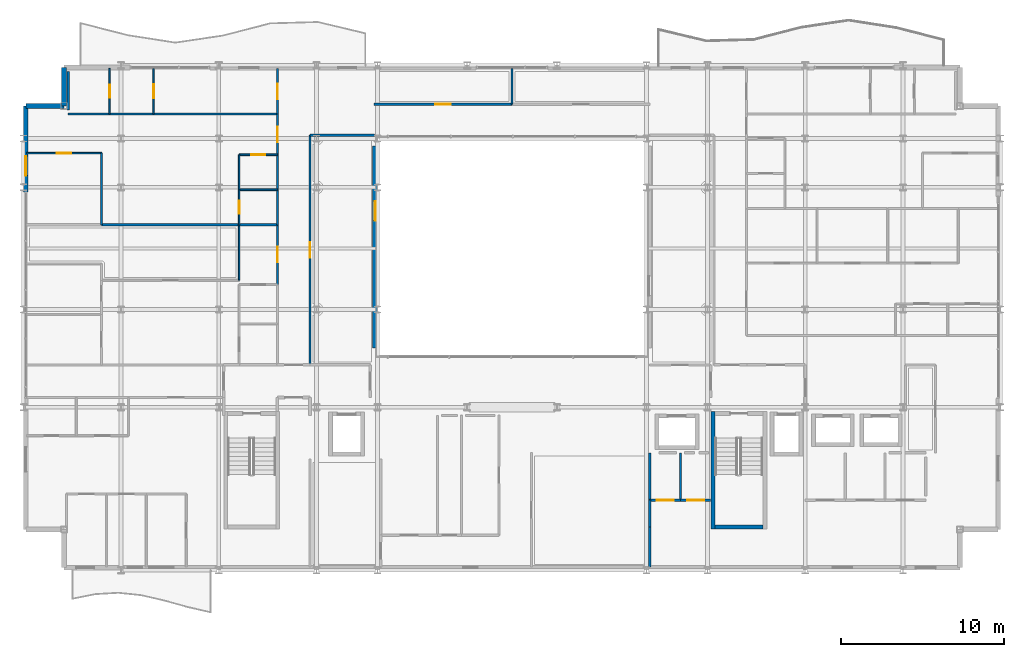
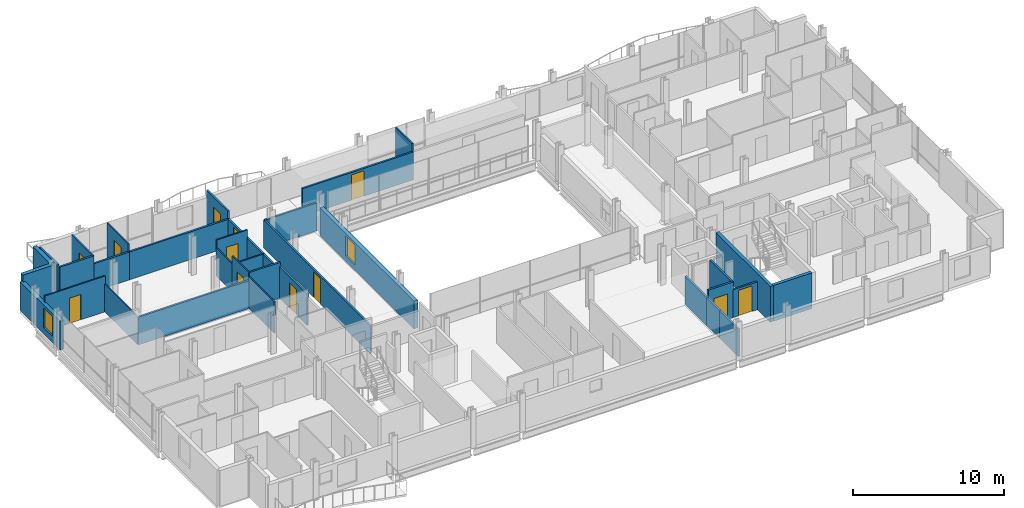
# One storey, part 35 of 41: 36 walls, 12 doors, 2 windows, 14 openings.
"""IFC4 building model written with IfcOpenShell, lengths in metres."""

from ifc_helpers import new_model, si_unit, direction, frame, frame_2d, origin, place, context, subcontext, project, spatial, rectangle, extrude, material, layer, layer_set, type_object, element, fill, save


model = new_model("IFC4")

# Units and contexts
model_context = context("Model", 3, precision=1e-05, world=origin(), true_north=direction((0.0, 1.0)))
body_context = subcontext(model_context, "Body", "Model", "MODEL_VIEW")
ifc_project = project(units=[si_unit("LENGTHUNIT", "METRE"), si_unit("AREAUNIT", "SQUARE_METRE"), si_unit("VOLUMEUNIT", "CUBIC_METRE"), si_unit("PLANEANGLEUNIT", "RADIAN"), si_unit("MASSUNIT", "GRAM", prefix="KILO")], contexts=[model_context])

# Site, building, storey
site_placement = place(None, origin())
site = spatial("IfcSite", under=ifc_project, at=site_placement, CompositionType="ELEMENT")
building_placement = place(site_placement, origin())
building = spatial("IfcBuilding", under=site, at=building_placement, Name="Brevholm Reach", CompositionType="ELEMENT")
storey_placement = place(building_placement, frame((0.0, 0.0, 157.300048828125)))
storey = spatial("IfcBuildingStorey", under=building, at=storey_placement, Name="L47", CompositionType="ELEMENT", Elevation=157.300048828125)

# Walls
ifc_material_1 = material(Name="Concrete C45/55", Category="concrete")
ifc_layer_1 = layer(ifc_material_1, 0.239990234375)
ifc_layer_set_1 = layer_set([ifc_layer_1], Name="Concrete C45/55")
wall_type_1 = type_object("IfcWallType", Name="WAL-COR-240", PredefinedType="SHEAR", material=ifc_layer_set_1)
wall_1_placement = place(storey_placement, frame((42.330078125, 2.5400390625, 0.0), z_axis=(0.0, 0.0, 1.0), x_axis=(0.0, 1.0, 0.0)))
element("IfcWall", 1, at=wall_1_placement, inside=storey, type_object=wall_type_1, Name="L47 Escape Stair ST-2 Core Wall W", PredefinedType="SHEAR", context=body_context, shape_type="SweptSolid", body=[
    extrude(rectangle(XDim=7.199951171875, YDim=0.239990234375, at=frame_2d((3.60009765625, 0.0))), origin(), (0.0, 0.0, 1.0), 2.8798828125),
])
wall_2_placement = place(storey_placement, frame((42.449951171875, 2.659912109375, 0.0), z_axis=(0.0, 0.0, 1.0), x_axis=(1.0, 0.0, 0.0)))
element("IfcWall", 2, at=wall_2_placement, inside=storey, type_object=wall_type_1, Name="L47 Escape Stair ST-2 Core Wall S", PredefinedType="SHEAR", context=body_context, shape_type="SweptSolid", body=[
    extrude(rectangle(XDim=2.949951171875, YDim=0.239990234375, at=frame_2d((1.47509765625, 0.0))), origin(), (0.0, 0.0, 1.0), 2.8798828125),
])
ifc_material_2 = material(Name="Concrete C40/50", Category="concrete")
ifc_layer_2 = layer(ifc_material_2, 0.300048828125)
ifc_layer_set_2 = layer_set([ifc_layer_2], Name="Concrete C40/50")
wall_type_2 = type_object("IfcWallType", Name="WAL-EXT-300", PredefinedType="STANDARD", material=ifc_layer_set_2)
for number, where, z_axis, x_axis, name in (
    (3, (2.5, 30.85009765625, 0.0), (0.0, 0.0, 1.0), (0.0, -1.0, 0.0), "L47 Facade Wall WAL-L47-CNW1"),
    (4, (2.5, 28.5, 0.0), (0.0, 0.0, 1.0), (-1.0, 0.0, 0.0), "L47 Facade Wall WAL-L47-CNW2"),
):
    element("IfcWall", number, at=place(storey_placement, frame(where, z_axis=z_axis, x_axis=x_axis)), inside=storey, type_object=wall_type_2, Name=name, PredefinedType="STANDARD", context=body_context, shape_type="SweptSolid", body=[
        extrude(rectangle(XDim=2.35009765625, YDim=0.300048828125, at=frame_2d((1.175048828125, 0.0))), origin(), (0.0, 0.0, 1.0), 2.8798828125),
    ])

# Wall, opening, window
wall_3_placement = place(storey_placement, frame((0.14990234375, 28.5, 0.0), z_axis=(0.0, 0.0, 1.0), x_axis=(0.0, -1.0, 0.0)))
wall_3 = element("IfcWall", 5, at=wall_3_placement, inside=storey, type_object=wall_type_2, Name="L47 Facade Wall WAL-L47-W-N", PredefinedType="STANDARD", context=body_context, shape_type="SweptSolid", body=[
    extrude(rectangle(XDim=5.280029296875, YDim=0.300048828125, at=frame_2d((2.64013671875, 0.0))), origin(), (0.0, 0.0, 1.0), 2.32177734375),
])
opening_1_placement = place(wall_3_placement, frame((3.080078125, 0.0, 0.501953125)))
opening_1 = element("IfcOpeningElement", 6, at=opening_1_placement, cuts=wall_3, Name="Opening WN-08", PredefinedType="OPENING", context=body_context, shape_type="SweptSolid", body=[
    extrude(rectangle(XDim=1.199951171875, YDim=1.60009765625, at=frame_2d((0.60009765625, 0.800048828125))), frame((0.0, 0.159912109375, 0.0), z_axis=(0.0, -1.0, 0.0), x_axis=(1.0, 0.0, 0.0)), (0.0, 0.0, 1.0), 0.320068359375),
])
ifc_material_3 = material(Name="Dark Anodised Aluminium and Solar-Control IGU Glass", Category="aluminium")
window_type = type_object("IfcWindowType", Name="WIN-RES-1200", PartitioningType="SINGLE_PANEL", PredefinedType="WINDOW", material=ifc_material_3)
window_1_placement = place(opening_1_placement, origin())
window_1 = element("IfcWindow", 7, at=window_1_placement, inside=storey, type_object=window_type, Name="L47 Window WIN-L47-WN-1", OverallHeight=1.60009765625, OverallWidth=1.199951171875, PartitioningType="SINGLE_PANEL", PredefinedType="WINDOW", context=body_context, shape_type="SweptSolid", body=[
    extrude(rectangle(XDim=1.199951171875, YDim=1.60009765625, at=frame_2d((0.60009765625, 0.800048828125))), frame((0.0, 0.030029296875, 0.0), z_axis=(0.0, -1.0, 0.0), x_axis=(1.0, 0.0, 0.0)), (0.0, 0.0, 1.0), 0.06005859375),
])
fill(opening_1, window_1)

wall_4_placement = place(storey_placement, frame((21.60009765625, 26.050048828125, 0.0), z_axis=(0.0, 0.0, 1.0), x_axis=(0.0, -1.0, 0.0)))
wall_4 = element("IfcWall", 8, at=wall_4_placement, inside=storey, type_object=wall_type_2, Name="L47 Facade Wall WAL-L47-AT-W", PredefinedType="STANDARD", context=body_context, shape_type="SweptSolid", body=[
    extrude(rectangle(XDim=12.400146484375, YDim=0.300048828125, at=frame_2d((6.2001953125, 0.0))), origin(), (0.0, 0.0, 1.0), 2.24267578125),
])
opening_2_placement = place(wall_4_placement, frame((3.39990234375, 0.0, 0.423095703125)))
opening_2 = element("IfcOpeningElement", 9, at=opening_2_placement, cuts=wall_4, Name="Opening WN-08", PredefinedType="OPENING", context=body_context, shape_type="SweptSolid", body=[
    extrude(rectangle(XDim=1.199951171875, YDim=1.60009765625, at=frame_2d((0.60009765625, 0.800048828125))), frame((0.0, 0.159912109375, 0.0), z_axis=(0.0, -1.0, 0.0), x_axis=(1.0, 0.0, 0.0)), (0.0, 0.0, 1.0), 0.320068359375),
])
window_2_placement = place(opening_2_placement, origin())
window_2 = element("IfcWindow", 10, at=window_2_placement, inside=storey, type_object=window_type, Name="L47 Window WIN-L47-AT-W1", OverallHeight=1.60009765625, OverallWidth=1.199951171875, PartitioningType="SINGLE_PANEL", PredefinedType="WINDOW", context=body_context, shape_type="SweptSolid", body=[
    extrude(rectangle(XDim=1.199951171875, YDim=1.60009765625, at=frame_2d((0.60009765625, 0.800048828125))), frame((0.0, 0.030029296875, 0.0), z_axis=(0.0, -1.0, 0.0), x_axis=(1.0, 0.0, 0.0)), (0.0, 0.0, 1.0), 0.06005859375),
])
fill(opening_2, window_2)

# Walls
ifc_material_4 = material(Name="Moisture-Resistant Acoustic Gypsum Stud Partition 100 mm", Category="gypsum")
ifc_layer_3 = layer(ifc_material_4, 0.10009765625)
ifc_layer_set_3 = layer_set([ifc_layer_3], Name="Moisture-Resistant Acoustic Gypsum Stud Partition 100 mm")
wall_type_3 = type_object("IfcWallType", Name="WAL-PRT-100", PredefinedType="PARTITIONING", material=ifc_layer_set_3)
wall_5_placement = place(storey_placement, frame((13.25, 17.800048828125, 0.0), z_axis=(0.0, 0.0, 1.0), x_axis=(0.0, 1.0, 0.0)))
element("IfcWall", 11, at=wall_5_placement, inside=storey, type_object=wall_type_3, Name="L47 Internal Partition 089", PredefinedType="PARTITIONING", context=body_context, shape_type="SweptSolid", body=[
    extrude(rectangle(XDim=3.39990234375, YDim=0.10009765625, at=frame_2d((1.699951171875, 0.0))), origin(), (0.0, 0.0, 1.0), 2.551513671875),
])
wall_6_placement = place(storey_placement, frame((13.25, 23.35009765625, 0.0), z_axis=(0.0, 0.0, 1.0), x_axis=(1.0, 0.0, 0.0)))
element("IfcWall", 12, at=wall_6_placement, inside=storey, type_object=wall_type_3, Name="L47 Internal Partition 093", PredefinedType="PARTITIONING", context=body_context, shape_type="SweptSolid", body=[
    extrude(rectangle(XDim=2.345947265625, YDim=0.10009765625, at=frame_2d((1.1728515625, 0.0))), origin(), (0.0, 0.0, 1.0), 2.24267578125),
])

# Wall, opening, door
wall_7_placement = place(storey_placement, frame((13.25, 21.2041015625, 0.0), z_axis=(0.0, 0.0, 1.0), x_axis=(0.0, 1.0, 0.0)))
wall_7 = element("IfcWall", 13, at=wall_7_placement, inside=storey, type_object=wall_type_3, Name="L47 Internal Partition 094", PredefinedType="PARTITIONING", context=body_context, shape_type="SweptSolid", body=[
    extrude(rectangle(XDim=2.14599609375, YDim=0.10009765625, at=frame_2d((1.072998046875, 0.0))), origin(), (0.0, 0.0, 1.0), 2.8798828125),
])
opening_3_placement = place(wall_7_placement, frame((0.6630859375, 0.0, 0.0)))
opening_3 = element("IfcOpeningElement", 14, at=opening_3_placement, cuts=wall_7, Name="Opening ID-03", PredefinedType="OPENING", context=body_context, shape_type="SweptSolid", body=[
    extrude(rectangle(XDim=0.820068359375, YDim=2.02001953125, at=frame_2d((0.41015625, 1.010009765625))), frame((0.0, 0.06005859375, 0.0), z_axis=(0.0, -1.0, 0.0), x_axis=(1.0, 0.0, 0.0)), (0.0, 0.0, 1.0), 0.1201171875),
])
ifc_material_5 = material(Name="Moisture-Resistant Painted Timber Internal Bathroom Door", Category="wood")
door_type_1 = type_object("IfcDoorType", Name="DOR-BATH-820", OperationType="NOTDEFINED", PredefinedType="DOOR", material=ifc_material_5)
door_1_placement = place(opening_3_placement, origin())
door_1 = element("IfcDoor", 15, at=door_1_placement, inside=storey, type_object=door_type_1, Name="L47 Internal Door 041", OperationType="SINGLE_SWING_LEFT", OverallHeight=2.02001953125, OverallWidth=0.820068359375, PredefinedType="DOOR", context=body_context, shape_type="SweptSolid", body=[
    extrude(rectangle(XDim=0.820068359375, YDim=2.02001953125, at=frame_2d((0.41015625, 1.010009765625))), frame((0.0, 0.02490234375, 0.0), z_axis=(0.0, -1.0, 0.0), x_axis=(1.0, 0.0, 0.0)), (0.0, 0.0, 1.0), 0.050048828125),
])
fill(opening_3, door_1)

wall_8_placement = place(storey_placement, frame((13.25, 25.5, 0.0), z_axis=(0.0, 0.0, 1.0), x_axis=(1.0, 0.0, 0.0)))
wall_8 = element("IfcWall", 16, at=wall_8_placement, inside=storey, type_object=wall_type_3, Name="L47 Internal Partition 095", PredefinedType="PARTITIONING", context=body_context, shape_type="SweptSolid", body=[
    extrude(rectangle(XDim=2.345947265625, YDim=0.10009765625, at=frame_2d((1.1728515625, 0.0))), origin(), (0.0, 0.0, 1.0), 2.8798828125),
])
opening_4_placement = place(wall_8_placement, frame((0.73291015625, 0.0, 0.0)))
opening_4 = element("IfcOpeningElement", 17, at=opening_4_placement, cuts=wall_8, Name="Opening ID-01", PredefinedType="OPENING", context=body_context, shape_type="SweptSolid", body=[
    extrude(rectangle(XDim=0.8798828125, YDim=2.0400390625, at=frame_2d((0.43994140625, 1.02001953125))), frame((0.0, 0.06005859375, 0.0), z_axis=(0.0, -1.0, 0.0), x_axis=(1.0, 0.0, 0.0)), (0.0, 0.0, 1.0), 0.1201171875),
])
ifc_material_6 = material(Name="Lacquered Ash Solid-Core Acoustic Internal Door", Category="timber")
door_type_2 = type_object("IfcDoorType", Name="DOR-INT-880", OperationType="NOTDEFINED", PredefinedType="DOOR", material=ifc_material_6)
door_2_placement = place(opening_4_placement, origin())
door_2 = element("IfcDoor", 18, at=door_2_placement, inside=storey, type_object=door_type_2, Name="L47 Internal Door 042", OperationType="SINGLE_SWING_RIGHT", OverallHeight=2.0400390625, OverallWidth=0.8798828125, PredefinedType="DOOR", context=body_context, shape_type="SweptSolid", body=[
    extrude(rectangle(XDim=0.8798828125, YDim=2.0400390625, at=frame_2d((0.43994140625, 1.02001953125))), frame((0.0, 0.02490234375, 0.0), z_axis=(0.0, -1.0, 0.0), x_axis=(1.0, 0.0, 0.0)), (0.0, 0.0, 1.0), 0.050048828125),
])
fill(opening_4, door_2)

# Walls
wall_9_placement = place(storey_placement, frame((13.25, 23.35400390625, 0.0), z_axis=(0.0, 0.0, 1.0), x_axis=(0.0, 1.0, 0.0)))
element("IfcWall", 19, at=wall_9_placement, inside=storey, type_object=wall_type_3, Name="L47 Internal Partition 096", PredefinedType="PARTITIONING", context=body_context, shape_type="SweptSolid", body=[
    extrude(rectangle(XDim=2.14599609375, YDim=0.10009765625, at=frame_2d((1.072998046875, 0.0))), origin(), (0.0, 0.0, 1.0), 2.24267578125),
])
wall_10_placement = place(storey_placement, frame((4.800048828125, 21.2041015625, 0.0), z_axis=(0.0, 0.0, 1.0), x_axis=(0.0, 1.0, 0.0)))
element("IfcWall", 20, at=wall_10_placement, inside=storey, type_object=wall_type_3, Name="L47 Internal Partition 097", PredefinedType="PARTITIONING", context=body_context, shape_type="SweptSolid", body=[
    extrude(rectangle(XDim=4.39599609375, YDim=0.10009765625, at=frame_2d((2.197998046875, 0.0))), origin(), (0.0, 0.0, 1.0), 2.24267578125),
])

# Wall, opening, door
wall_11_placement = place(storey_placement, frame((0.199951171875, 25.60009765625, 0.0), z_axis=(0.0, 0.0, 1.0), x_axis=(1.0, 0.0, 0.0)))
wall_11 = element("IfcWall", 21, at=wall_11_placement, inside=storey, type_object=wall_type_3, Name="L47 Internal Partition 098", PredefinedType="PARTITIONING", context=body_context, shape_type="SweptSolid", body=[
    extrude(rectangle(XDim=4.60009765625, YDim=0.10009765625, at=frame_2d((2.300048828125, 0.0))), origin(), (0.0, 0.0, 1.0), 2.8798828125),
])
opening_5_placement = place(wall_11_placement, frame((1.860107421875, 0.0, 0.0)))
opening_5 = element("IfcOpeningElement", 22, at=opening_5_placement, cuts=wall_11, Name="Opening ID-01", PredefinedType="OPENING", context=body_context, shape_type="SweptSolid", body=[
    extrude(rectangle(XDim=0.8798828125, YDim=2.0400390625, at=frame_2d((0.43994140625, 1.02001953125))), frame((0.0, 0.06005859375, 0.0), z_axis=(0.0, -1.0, 0.0), x_axis=(1.0, 0.0, 0.0)), (0.0, 0.0, 1.0), 0.1201171875),
])
door_3_placement = place(opening_5_placement, origin())
door_3 = element("IfcDoor", 23, at=door_3_placement, inside=storey, type_object=door_type_2, Name="L47 Internal Door 043", OperationType="SINGLE_SWING_LEFT", OverallHeight=2.0400390625, OverallWidth=0.8798828125, PredefinedType="DOOR", context=body_context, shape_type="SweptSolid", body=[
    extrude(rectangle(XDim=0.8798828125, YDim=2.0400390625, at=frame_2d((0.43994140625, 1.02001953125))), frame((0.0, 0.02490234375, 0.0), z_axis=(0.0, -1.0, 0.0), x_axis=(1.0, 0.0, 0.0)), (0.0, 0.0, 1.0), 0.050048828125),
])
fill(opening_5, door_3)

wall_12_placement = place(storey_placement, frame((5.300048828125, 28.00390625, 0.0), z_axis=(0.0, 0.0, 1.0), x_axis=(0.0, 1.0, 0.0)))
wall_12 = element("IfcWall", 24, at=wall_12_placement, inside=storey, type_object=wall_type_3, Name="L47 Internal Partition 127", PredefinedType="PARTITIONING", context=body_context, shape_type="SweptSolid", body=[
    extrude(rectangle(XDim=2.796142578125, YDim=0.10009765625, at=frame_2d((1.39794921875, 0.0))), origin(), (0.0, 0.0, 1.0), 2.8798828125),
])
opening_6_placement = place(wall_12_placement, frame((0.988037109375, 0.0, 0.0)))
opening_6 = element("IfcOpeningElement", 25, at=opening_6_placement, cuts=wall_12, Name="Opening ID-03", PredefinedType="OPENING", context=body_context, shape_type="SweptSolid", body=[
    extrude(rectangle(XDim=0.820068359375, YDim=2.02001953125, at=frame_2d((0.41015625, 1.010009765625))), frame((0.0, 0.06005859375, 0.0), z_axis=(0.0, -1.0, 0.0), x_axis=(1.0, 0.0, 0.0)), (0.0, 0.0, 1.0), 0.1201171875),
])
door_4_placement = place(opening_6_placement, origin())
door_4 = element("IfcDoor", 26, at=door_4_placement, inside=storey, type_object=door_type_1, Name="L47 Access Door 054", OperationType="SINGLE_SWING_RIGHT", OverallHeight=2.02001953125, OverallWidth=0.820068359375, PredefinedType="DOOR", context=body_context, shape_type="SweptSolid", body=[
    extrude(rectangle(XDim=0.820068359375, YDim=2.02001953125, at=frame_2d((0.41015625, 1.010009765625))), frame((0.0, 0.02490234375, 0.0), z_axis=(0.0, -1.0, 0.0), x_axis=(1.0, 0.0, 0.0)), (0.0, 0.0, 1.0), 0.050048828125),
])
fill(opening_6, door_4)

wall_13_placement = place(storey_placement, frame((8.0, 28.00390625, 0.0), z_axis=(0.0, 0.0, 1.0), x_axis=(0.0, 1.0, 0.0)))
wall_13 = element("IfcWall", 27, at=wall_13_placement, inside=storey, type_object=wall_type_3, Name="L47 Internal Partition 128", PredefinedType="PARTITIONING", context=body_context, shape_type="SweptSolid", body=[
    extrude(rectangle(XDim=2.796142578125, YDim=0.10009765625, at=frame_2d((1.39794921875, 0.0))), origin(), (0.0, 0.0, 1.0), 2.8798828125),
])
opening_7_placement = place(wall_13_placement, frame((0.9580078125, 0.0, 0.0)))
opening_7 = element("IfcOpeningElement", 28, at=opening_7_placement, cuts=wall_13, Name="Opening ID-01", PredefinedType="OPENING", context=body_context, shape_type="SweptSolid", body=[
    extrude(rectangle(XDim=0.8798828125, YDim=2.0400390625, at=frame_2d((0.43994140625, 1.02001953125))), frame((0.0, 0.06005859375, 0.0), z_axis=(0.0, -1.0, 0.0), x_axis=(1.0, 0.0, 0.0)), (0.0, 0.0, 1.0), 0.1201171875),
])
door_5_placement = place(opening_7_placement, origin())
door_5 = element("IfcDoor", 29, at=door_5_placement, inside=storey, type_object=door_type_2, Name="L47 Internal Door 051", OperationType="SINGLE_SWING_LEFT", OverallHeight=2.0400390625, OverallWidth=0.8798828125, PredefinedType="DOOR", context=body_context, shape_type="SweptSolid", body=[
    extrude(rectangle(XDim=0.8798828125, YDim=2.0400390625, at=frame_2d((0.43994140625, 1.02001953125))), frame((0.0, 0.02490234375, 0.0), z_axis=(0.0, -1.0, 0.0), x_axis=(1.0, 0.0, 0.0)), (0.0, 0.0, 1.0), 0.050048828125),
])
fill(opening_7, door_5)

# Walls
wall_14_placement = place(storey_placement, frame((30.0, 28.60400390625, 0.0), z_axis=(0.0, 0.0, 1.0), x_axis=(0.0, 1.0, 0.0)))
element("IfcWall", 30, at=wall_14_placement, inside=storey, type_object=wall_type_3, Name="L47 Internal Partition 129", PredefinedType="PARTITIONING", context=body_context, shape_type="SweptSolid", body=[
    extrude(rectangle(XDim=2.196044921875, YDim=0.10009765625, at=frame_2d((1.09814453125, 0.0))), origin(), (0.0, 0.0, 1.0), 2.8798828125),
])
ifc_material_7 = material(Name="Twin-Stud Acoustic Fire-Rated Gypsum Partition 140 mm", Category="gypsum")
ifc_layer_4 = layer(ifc_material_7, 0.139892578125)
ifc_layer_set_4 = layer_set([ifc_layer_4], Name="Twin-Stud Acoustic Fire-Rated Gypsum Partition 140 mm")
wall_type_4 = type_object("IfcWallType", Name="WAL-PRT-140", PredefinedType="PARTITIONING", material=ifc_layer_set_4)
wall_15_placement = place(storey_placement, frame((38.449951171875, 0.179931640625, 0.0), z_axis=(0.0, 0.0, 1.0), x_axis=(0.0, 1.0, 0.0)))
element("IfcWall", 31, at=wall_15_placement, inside=storey, type_object=wall_type_4, Name="L47 Internal Partition 010", PredefinedType="PARTITIONING", context=body_context, shape_type="SweptSolid", body=[
    extrude(rectangle(XDim=2.4814453125, YDim=0.139892578125, at=frame_2d((1.24072265625, 0.0))), origin(), (0.0, 0.0, 1.0), 2.24267578125),
])
wall_16_placement = place(storey_placement, frame((38.449951171875, 2.642578125, 0.0), z_axis=(0.0, 0.0, 1.0), x_axis=(0.0, 1.0, 0.0)))
element("IfcWall", 32, at=wall_16_placement, inside=storey, type_object=wall_type_4, Name="L47 Internal Partition 011", PredefinedType="PARTITIONING", context=body_context, shape_type="SweptSolid", body=[
    extrude(rectangle(XDim=1.668701171875, YDim=0.139892578125, at=frame_2d((0.83447265625, 0.0))), origin(), (0.0, 0.0, 1.0), 2.24267578125),
])
wall_17_placement = place(storey_placement, frame((38.449951171875, 4.292724609375, 0.0), z_axis=(0.0, 0.0, 1.0), x_axis=(0.0, 1.0, 0.0)))
element("IfcWall", 33, at=wall_17_placement, inside=storey, type_object=wall_type_4, Name="L47 Internal Partition 012", PredefinedType="PARTITIONING", context=body_context, shape_type="SweptSolid", body=[
    extrude(rectangle(XDim=2.9072265625, YDim=0.139892578125, at=frame_2d((1.45361328125, 0.0))), origin(), (0.0, 0.0, 1.0), 2.24267578125),
])

# Wall, opening, door
wall_18_placement = place(storey_placement, frame((38.4541015625, 4.300048828125, 0.0), z_axis=(0.0, 0.0, 1.0), x_axis=(1.0, 0.0, 0.0)))
wall_18 = element("IfcWall", 34, at=wall_18_placement, inside=storey, type_object=wall_type_4, Name="L47 Internal Partition 018", PredefinedType="PARTITIONING", context=body_context, shape_type="SweptSolid", body=[
    extrude(rectangle(XDim=1.9072265625, YDim=0.139892578125, at=frame_2d((0.95361328125, 0.0))), origin(), (0.0, 0.0, 1.0), 2.8798828125),
])
opening_8_placement = place(wall_18_placement, frame((0.4287109375, 0.0, 0.0)))
opening_8 = element("IfcOpeningElement", 35, at=opening_8_placement, cuts=wall_18, Name="Opening FD-01", PredefinedType="OPENING", context=body_context, shape_type="SweptSolid", body=[
    extrude(rectangle(XDim=1.050048828125, YDim=2.06005859375, at=frame_2d((0.52490234375, 1.030029296875))), frame((0.0, 0.079833984375, 0.0), z_axis=(0.0, -1.0, 0.0), x_axis=(1.0, 0.0, 0.0)), (0.0, 0.0, 1.0), 0.159912109375),
])
ifc_material_8 = material(Name="Hardwood-Lipped Steel-Core Fire and Smoke Door", Category="steel")
door_type_3 = type_object("IfcDoorType", Name="DOR-INT-FD60S", OperationType="NOTDEFINED", PredefinedType="DOOR", material=ifc_material_8)
door_6_placement = place(opening_8_placement, origin())
door_6 = element("IfcDoor", 36, at=door_6_placement, inside=storey, type_object=door_type_3, Name="L47 Internal Door 008", OperationType="SINGLE_SWING_RIGHT", OverallHeight=2.06005859375, OverallWidth=1.050048828125, PredefinedType="DOOR", context=body_context, shape_type="SweptSolid", body=[
    extrude(rectangle(XDim=1.050048828125, YDim=2.06005859375, at=frame_2d((0.52490234375, 1.030029296875))), frame((0.0, 0.02490234375, 0.0), z_axis=(0.0, -1.0, 0.0), x_axis=(1.0, 0.0, 0.0)), (0.0, 0.0, 1.0), 0.050048828125),
])
fill(opening_8, door_6)

wall_19_placement = place(storey_placement, frame((40.3427734375, 4.300048828125, 0.0), z_axis=(0.0, 0.0, 1.0), x_axis=(1.0, 0.0, 0.0)))
wall_19 = element("IfcWall", 37, at=wall_19_placement, inside=storey, type_object=wall_type_4, Name="L47 Internal Partition 019", PredefinedType="PARTITIONING", context=body_context, shape_type="SweptSolid", body=[
    extrude(rectangle(XDim=1.857177734375, YDim=0.139892578125, at=frame_2d((0.9287109375, 0.0))), origin(), (0.0, 0.0, 1.0), 2.24267578125),
])
opening_9_placement = place(wall_19_placement, frame((0.40380859375, 0.0, 0.0)))
opening_9 = element("IfcOpeningElement", 38, at=opening_9_placement, cuts=wall_19, Name="Opening FD-01", PredefinedType="OPENING", context=body_context, shape_type="SweptSolid", body=[
    extrude(rectangle(XDim=1.050048828125, YDim=2.06005859375, at=frame_2d((0.52490234375, 1.030029296875))), frame((0.0, 0.079833984375, 0.0), z_axis=(0.0, -1.0, 0.0), x_axis=(1.0, 0.0, 0.0)), (0.0, 0.0, 1.0), 0.159912109375),
])
door_7_placement = place(opening_9_placement, origin())
door_7 = element("IfcDoor", 39, at=door_7_placement, inside=storey, type_object=door_type_3, Name="L47 Internal Door 009", OperationType="SINGLE_SWING_LEFT", OverallHeight=2.06005859375, OverallWidth=1.050048828125, PredefinedType="DOOR", context=body_context, shape_type="SweptSolid", body=[
    extrude(rectangle(XDim=1.050048828125, YDim=2.06005859375, at=frame_2d((0.52490234375, 1.030029296875))), frame((0.0, 0.02490234375, 0.0), z_axis=(0.0, -1.0, 0.0), x_axis=(1.0, 0.0, 0.0)), (0.0, 0.0, 1.0), 0.050048828125),
])
fill(opening_9, door_7)

# Wall
wall_20_placement = place(storey_placement, frame((40.35009765625, 4.303955078125, 0.0), z_axis=(0.0, 0.0, 1.0), x_axis=(0.0, 1.0, 0.0)))
element("IfcWall", 40, at=wall_20_placement, inside=storey, type_object=wall_type_4, Name="L47 Internal Partition 020", PredefinedType="PARTITIONING", context=body_context, shape_type="SweptSolid", body=[
    extrude(rectangle(XDim=2.89599609375, YDim=0.139892578125, at=frame_2d((1.447998046875, 0.0))), origin(), (0.0, 0.0, 1.0), 2.8798828125),
])

# Wall, opening, door
wall_21_placement = place(storey_placement, frame((15.60009765625, 17.520751953125, 0.0), z_axis=(0.0, 0.0, 1.0), x_axis=(0.0, 1.0, 0.0)))
wall_21 = element("IfcWall", 41, at=wall_21_placement, inside=storey, type_object=wall_type_4, Name="L47 Internal Partition 043", PredefinedType="PARTITIONING", context=body_context, shape_type="SweptSolid", body=[
    extrude(rectangle(XDim=3.6904296875, YDim=0.139892578125, at=frame_2d((1.84521484375, 0.0))), origin(), (0.0, 0.0, 1.0), 2.551513671875),
])
opening_10_placement = place(wall_21_placement, frame((1.370361328125, 0.0, 0.0)))
opening_10 = element("IfcOpeningElement", 42, at=opening_10_placement, cuts=wall_21, Name="Opening ID-30", PredefinedType="OPENING", context=body_context, shape_type="SweptSolid", body=[
    extrude(rectangle(XDim=0.949951171875, YDim=2.050048828125, at=frame_2d((0.47509765625, 1.02490234375))), frame((0.0, 0.079833984375, 0.0), z_axis=(0.0, -1.0, 0.0), x_axis=(1.0, 0.0, 0.0)), (0.0, 0.0, 1.0), 0.159912109375),
])
ifc_material_9 = material(Name="European Oak Veneered Solid-Core Fire Entrance Door", Category="timber")
door_type_4 = type_object("IfcDoorType", Name="DOR-FLT-FD30S", OperationType="NOTDEFINED", PredefinedType="DOOR", material=ifc_material_9)
door_8_placement = place(opening_10_placement, origin())
door_8 = element("IfcDoor", 43, at=door_8_placement, inside=storey, type_object=door_type_4, Name="L47 Internal Door 021", OperationType="SINGLE_SWING_LEFT", OverallHeight=2.050048828125, OverallWidth=0.949951171875, PredefinedType="DOOR", context=body_context, shape_type="SweptSolid", body=[
    extrude(rectangle(XDim=0.949951171875, YDim=2.050048828125, at=frame_2d((0.47509765625, 1.02490234375))), frame((0.0, 0.02490234375, 0.0), z_axis=(0.0, -1.0, 0.0), x_axis=(1.0, 0.0, 0.0)), (0.0, 0.0, 1.0), 0.050048828125),
])
fill(opening_10, door_8)

# Walls
wall_22_placement = place(storey_placement, frame((15.60009765625, 21.192626953125, 0.0), z_axis=(0.0, 0.0, 1.0), x_axis=(0.0, 1.0, 0.0)))
element("IfcWall", 44, at=wall_22_placement, inside=storey, type_object=wall_type_4, Name="L47 Internal Partition 044", PredefinedType="PARTITIONING", context=body_context, shape_type="SweptSolid", body=[
    extrude(rectangle(XDim=2.168701171875, YDim=0.139892578125, at=frame_2d((1.08447265625, 0.0))), origin(), (0.0, 0.0, 1.0), 2.24267578125),
])
wall_23_placement = place(storey_placement, frame((15.60009765625, 23.3427734375, 0.0), z_axis=(0.0, 0.0, 1.0), x_axis=(0.0, 1.0, 0.0)))
element("IfcWall", 45, at=wall_23_placement, inside=storey, type_object=wall_type_4, Name="L47 Internal Partition 045", PredefinedType="PARTITIONING", context=body_context, shape_type="SweptSolid", body=[
    extrude(rectangle(XDim=2.16845703125, YDim=0.139892578125, at=frame_2d((1.084228515625, 0.0))), origin(), (0.0, 0.0, 1.0), 2.24267578125),
])

# Wall, opening, door
wall_24_placement = place(storey_placement, frame((15.60009765625, 25.49267578125, 0.0), z_axis=(0.0, 0.0, 1.0), x_axis=(0.0, 1.0, 0.0)))
wall_24 = element("IfcWall", 46, at=wall_24_placement, inside=storey, type_object=wall_type_4, Name="L47 Internal Partition 046", PredefinedType="PARTITIONING", context=body_context, shape_type="SweptSolid", body=[
    extrude(rectangle(XDim=2.5185546875, YDim=0.139892578125, at=frame_2d((1.25927734375, 0.0))), origin(), (0.0, 0.0, 1.0), 2.24267578125),
])
opening_11_placement = place(wall_24_placement, frame((0.7841796875, 0.0, 0.0)))
opening_11 = element("IfcOpeningElement", 47, at=opening_11_placement, cuts=wall_24, Name="Opening ID-30", PredefinedType="OPENING", context=body_context, shape_type="SweptSolid", body=[
    extrude(rectangle(XDim=0.949951171875, YDim=2.050048828125, at=frame_2d((0.47509765625, 1.02490234375))), frame((0.0, 0.079833984375, 0.0), z_axis=(0.0, -1.0, 0.0), x_axis=(1.0, 0.0, 0.0)), (0.0, 0.0, 1.0), 0.159912109375),
])
door_9_placement = place(opening_11_placement, origin())
door_9 = element("IfcDoor", 48, at=door_9_placement, inside=storey, type_object=door_type_4, Name="L47 Internal Door 022", OperationType="SINGLE_SWING_RIGHT", OverallHeight=2.050048828125, OverallWidth=0.949951171875, PredefinedType="DOOR", context=body_context, shape_type="SweptSolid", body=[
    extrude(rectangle(XDim=0.949951171875, YDim=2.050048828125, at=frame_2d((0.47509765625, 1.02490234375))), frame((0.0, 0.02490234375, 0.0), z_axis=(0.0, -1.0, 0.0), x_axis=(1.0, 0.0, 0.0)), (0.0, 0.0, 1.0), 0.050048828125),
])
fill(opening_11, door_9)

wall_25_placement = place(storey_placement, frame((17.60009765625, 12.60400390625, 0.0), z_axis=(0.0, 0.0, 1.0), x_axis=(0.0, 1.0, 0.0)))
wall_25 = element("IfcWall", 49, at=wall_25_placement, inside=storey, type_object=wall_type_4, Name="L47 Internal Partition 047", PredefinedType="PARTITIONING", context=body_context, shape_type="SweptSolid", body=[
    extrude(rectangle(XDim=14.103271484375, YDim=0.139892578125, at=frame_2d((7.0517578125, 0.0))), origin(), (0.0, 0.0, 1.0), 2.24267578125),
])
opening_12_placement = place(wall_25_placement, frame((6.57666015625, 0.0, 0.0)))
opening_12 = element("IfcOpeningElement", 50, at=opening_12_placement, cuts=wall_25, Name="Opening ID-30", PredefinedType="OPENING", context=body_context, shape_type="SweptSolid", body=[
    extrude(rectangle(XDim=0.949951171875, YDim=2.050048828125, at=frame_2d((0.47509765625, 1.02490234375))), frame((0.0, 0.079833984375, 0.0), z_axis=(0.0, -1.0, 0.0), x_axis=(1.0, 0.0, 0.0)), (0.0, 0.0, 1.0), 0.159912109375),
])
door_10_placement = place(opening_12_placement, origin())
door_10 = element("IfcDoor", 51, at=door_10_placement, inside=storey, type_object=door_type_4, Name="L47 Internal Door 023", OperationType="SINGLE_SWING_LEFT", OverallHeight=2.050048828125, OverallWidth=0.949951171875, PredefinedType="DOOR", context=body_context, shape_type="SweptSolid", body=[
    extrude(rectangle(XDim=0.949951171875, YDim=2.050048828125, at=frame_2d((0.47509765625, 1.02490234375))), frame((0.0, 0.02490234375, 0.0), z_axis=(0.0, -1.0, 0.0), x_axis=(1.0, 0.0, 0.0)), (0.0, 0.0, 1.0), 0.050048828125),
])
fill(opening_12, door_10)

wall_26_placement = place(storey_placement, frame((15.60009765625, 27.99267578125, 0.0), z_axis=(0.0, 0.0, 1.0), x_axis=(0.0, 1.0, 0.0)))
wall_26 = element("IfcWall", 52, at=wall_26_placement, inside=storey, type_object=wall_type_4, Name="L47 Internal Partition 048", PredefinedType="PARTITIONING", context=body_context, shape_type="SweptSolid", body=[
    extrude(rectangle(XDim=2.807373046875, YDim=0.139892578125, at=frame_2d((1.40380859375, 0.0))), origin(), (0.0, 0.0, 1.0), 2.8798828125),
])
opening_13_placement = place(wall_26_placement, frame((0.9287109375, 0.0, 0.0)))
opening_13 = element("IfcOpeningElement", 53, at=opening_13_placement, cuts=wall_26, Name="Opening ID-30", PredefinedType="OPENING", context=body_context, shape_type="SweptSolid", body=[
    extrude(rectangle(XDim=0.949951171875, YDim=2.050048828125, at=frame_2d((0.47509765625, 1.02490234375))), frame((0.0, 0.079833984375, 0.0), z_axis=(0.0, -1.0, 0.0), x_axis=(1.0, 0.0, 0.0)), (0.0, 0.0, 1.0), 0.159912109375),
])
door_11_placement = place(opening_13_placement, origin())
door_11 = element("IfcDoor", 54, at=door_11_placement, inside=storey, type_object=door_type_4, Name="L47 Internal Door 024", OperationType="SINGLE_SWING_RIGHT", OverallHeight=2.050048828125, OverallWidth=0.949951171875, PredefinedType="DOOR", context=body_context, shape_type="SweptSolid", body=[
    extrude(rectangle(XDim=0.949951171875, YDim=2.050048828125, at=frame_2d((0.47509765625, 1.02490234375))), frame((0.0, 0.02490234375, 0.0), z_axis=(0.0, -1.0, 0.0), x_axis=(1.0, 0.0, 0.0)), (0.0, 0.0, 1.0), 0.050048828125),
])
fill(opening_13, door_11)

# Wall
wall_27_placement = place(storey_placement, frame((17.60400390625, 26.699951171875, 0.0), z_axis=(0.0, 0.0, 1.0), x_axis=(1.0, 0.0, 0.0)))
element("IfcWall", 55, at=wall_27_placement, inside=storey, type_object=wall_type_4, Name="L47 Internal Partition 059", PredefinedType="PARTITIONING", context=body_context, shape_type="SweptSolid", body=[
    extrude(rectangle(XDim=3.957275390625, YDim=0.139892578125, at=frame_2d((1.978515625, 0.0))), origin(), (0.0, 0.0, 1.0), 2.24267578125),
])

# Wall, opening, door
wall_28_placement = place(storey_placement, frame((21.542724609375, 28.60009765625, 0.0), z_axis=(0.0, 0.0, 1.0), x_axis=(1.0, 0.0, 0.0)))
wall_28 = element("IfcWall", 56, at=wall_28_placement, inside=storey, type_object=wall_type_4, Name="L47 Internal Partition 061", PredefinedType="PARTITIONING", context=body_context, shape_type="SweptSolid", body=[
    extrude(rectangle(XDim=8.468505859375, YDim=0.139892578125, at=frame_2d((4.234375, 0.0))), origin(), (0.0, 0.0, 1.0), 2.24267578125),
])
opening_14_placement = place(wall_28_placement, frame((3.75927734375, 0.0, 0.0)))
opening_14 = element("IfcOpeningElement", 57, at=opening_14_placement, cuts=wall_28, Name="Opening ID-30", PredefinedType="OPENING", context=body_context, shape_type="SweptSolid", body=[
    extrude(rectangle(XDim=0.949951171875, YDim=2.050048828125, at=frame_2d((0.47509765625, 1.02490234375))), frame((0.0, 0.079833984375, 0.0), z_axis=(0.0, -1.0, 0.0), x_axis=(1.0, 0.0, 0.0)), (0.0, 0.0, 1.0), 0.159912109375),
])
door_12_placement = place(opening_14_placement, origin())
door_12 = element("IfcDoor", 58, at=door_12_placement, inside=storey, type_object=door_type_4, Name="L47 Internal Door 028", OperationType="SINGLE_SWING_RIGHT", OverallHeight=2.050048828125, OverallWidth=0.949951171875, PredefinedType="DOOR", context=body_context, shape_type="SweptSolid", body=[
    extrude(rectangle(XDim=0.949951171875, YDim=2.050048828125, at=frame_2d((0.47509765625, 1.02490234375))), frame((0.0, 0.02490234375, 0.0), z_axis=(0.0, -1.0, 0.0), x_axis=(1.0, 0.0, 0.0)), (0.0, 0.0, 1.0), 0.050048828125),
])
fill(opening_14, door_12)

# Walls
wall_29_placement = place(storey_placement, frame((4.792724609375, 21.199951171875, 0.0), z_axis=(0.0, 0.0, 1.0), x_axis=(1.0, 0.0, 0.0)))
element("IfcWall", 59, at=wall_29_placement, inside=storey, type_object=wall_type_4, Name="L47 Internal Partition 091", PredefinedType="PARTITIONING", context=body_context, shape_type="SweptSolid", body=[
    extrude(rectangle(XDim=8.457275390625, YDim=0.139892578125, at=frame_2d((4.228515625, 0.0))), origin(), (0.0, 0.0, 1.0), 2.24267578125),
])
wall_30_placement = place(storey_placement, frame((13.25390625, 21.199951171875, 0.0), z_axis=(0.0, 0.0, 1.0), x_axis=(1.0, 0.0, 0.0)))
element("IfcWall", 60, at=wall_30_placement, inside=storey, type_object=wall_type_4, Name="L47 Internal Partition 092", PredefinedType="PARTITIONING", context=body_context, shape_type="SweptSolid", body=[
    extrude(rectangle(XDim=2.342041015625, YDim=0.139892578125, at=frame_2d((1.1708984375, 0.0))), origin(), (0.0, 0.0, 1.0), 2.8798828125),
])
wall_31_placement = place(storey_placement, frame((2.73876953125, 28.0, 0.0), z_axis=(0.0, 0.0, 1.0), x_axis=(1.0, 0.0, 0.0)))
element("IfcWall", 61, at=wall_31_placement, inside=storey, type_object=wall_type_4, Name="L47 Internal Partition 099", PredefinedType="PARTITIONING", context=body_context, shape_type="SweptSolid", body=[
    extrude(rectangle(XDim=2.572509765625, YDim=0.139892578125, at=frame_2d((1.2861328125, 0.0))), origin(), (0.0, 0.0, 1.0), 2.8798828125),
])
wall_32_placement = place(storey_placement, frame((5.292724609375, 28.0, 0.0), z_axis=(0.0, 0.0, 1.0), x_axis=(1.0, 0.0, 0.0)))
element("IfcWall", 62, at=wall_32_placement, inside=storey, type_object=wall_type_4, Name="L47 Internal Partition 100", PredefinedType="PARTITIONING", context=body_context, shape_type="SweptSolid", body=[
    extrude(rectangle(XDim=2.718505859375, YDim=0.139892578125, at=frame_2d((1.359375, 0.0))), origin(), (0.0, 0.0, 1.0), 2.24267578125),
])
wall_33_placement = place(storey_placement, frame((7.99267578125, 28.0, 0.0), z_axis=(0.0, 0.0, 1.0), x_axis=(1.0, 0.0, 0.0)))
element("IfcWall", 63, at=wall_33_placement, inside=storey, type_object=wall_type_4, Name="L47 Internal Partition 101", PredefinedType="PARTITIONING", context=body_context, shape_type="SweptSolid", body=[
    extrude(rectangle(XDim=7.603271484375, YDim=0.139892578125, at=frame_2d((3.8017578125, 0.0))), origin(), (0.0, 0.0, 1.0), 2.24267578125),
])
wall_34_placement = place(storey_placement, frame((2.75, 28.239990234375, 0.0), z_axis=(0.0, 0.0, 1.0), x_axis=(0.0, 1.0, 0.0)))
element("IfcWall", 64, at=wall_34_placement, inside=storey, type_object=wall_type_4, Name="L47 Internal Partition 139", PredefinedType="PARTITIONING", context=body_context, shape_type="SweptSolid", body=[
    extrude(rectangle(XDim=2.3701171875, YDim=0.139892578125, at=frame_2d((1.18505859375, 0.0))), origin(), (0.0, 0.0, 1.0), 2.8798828125),
])

save(model, "model.ifc")
